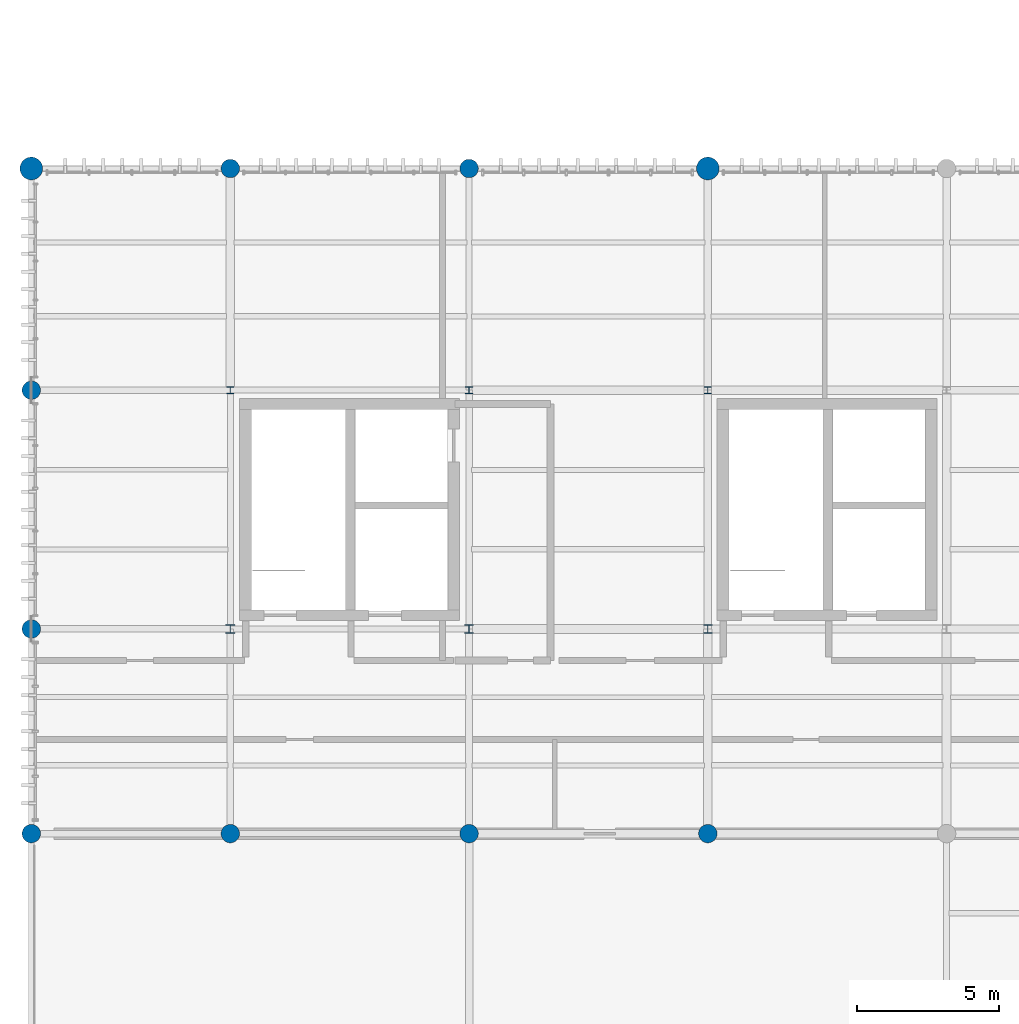
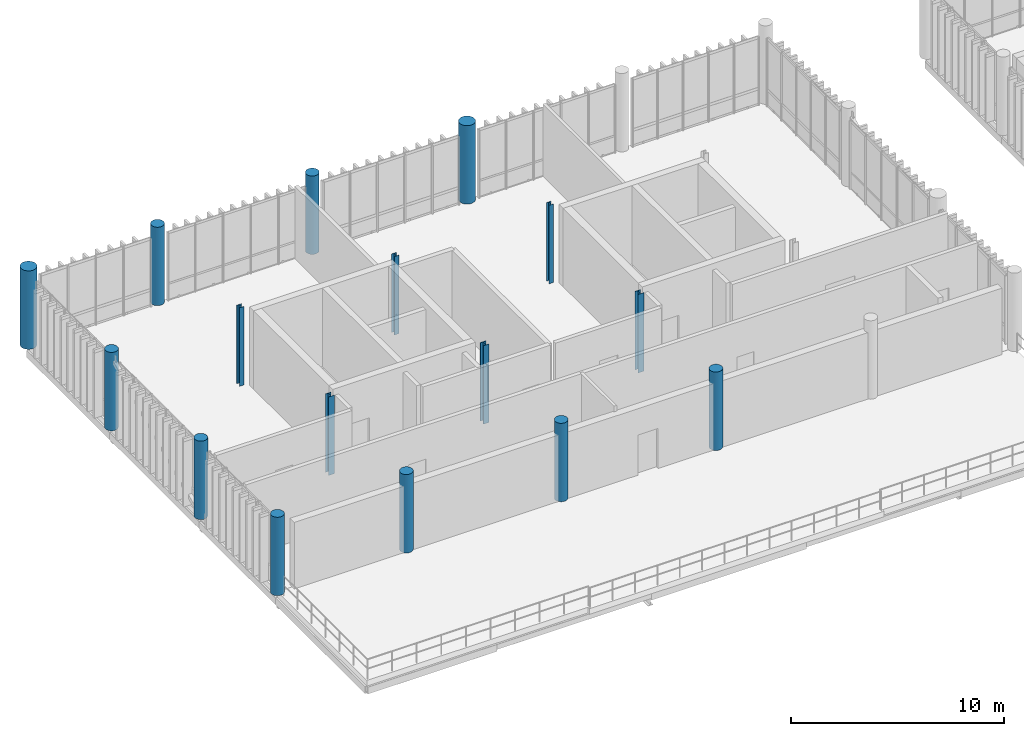
# One storey, part 1 of 66: 16 columns.
"""IFC4 building model written with IfcOpenShell, lengths in metres."""

import ifcopenshell
import ifcopenshell.guid

model = None  # the IFC model being written
_history = None  # IfcOwnerHistory: only IFC2X3 demands one
_inside = {}  # id of a spatial element -> (the spatial element, [elements in it])
_under = {}  # id of a project, library or spatial element -> (it, [spatial elements below it])
_declared = {}  # id of a project -> (the project, [libraries it declares])
_typed = {}  # id of a type object -> (the type object, [elements of that type])
_made_of = {}  # id of a material, layer set ... -> (it, [elements and type objects made of it])


def new_model(schema):
    """Start an empty IFC model of exactly this schema.

    Asked for "IFC4X3", IfcOpenShell would pick the latest addendum, in which some entities
    have other attributes; the version numbers below select the first issue.
    IFC2X3 requires an IfcOwnerHistory on every rooted entity: one is made here for all.
    """
    global model, _history
    if schema == "IFC4X3":
        model = ifcopenshell.file(schema_version=(4, 3, 0, 0))
    else:
        model = ifcopenshell.file(schema=schema)
    _inside.clear()
    _under.clear()
    _declared.clear()
    _typed.clear()
    _made_of.clear()
    _history = None
    if model.schema == "IFC2X3":
        org = make("IfcOrganization", Name="unknown")
        user = make(
            "IfcPersonAndOrganization",
            ThePerson=make("IfcPerson", FamilyName="unknown"),
            TheOrganization=org,
        )
        app = make(
            "IfcApplication",
            ApplicationDeveloper=org,
            Version="unknown",
            ApplicationFullName="unknown",
            ApplicationIdentifier="unknown",
        )
        _history = make(
            "IfcOwnerHistory",
            OwningUser=user,
            OwningApplication=app,
            ChangeAction="ADDED",
            CreationDate=0,
        )
    return model


def make(cls, **values):
    """One entity of the class cls with the attributes given. An attribute that is None is left unset."""
    return model.create_entity(
        cls, **{name: value for name, value in values.items() if value is not None}
    )


def rooted(cls, **values):
    """An entity with a GlobalId (a new one), such as an element, a storey or a relation."""
    return make(cls, GlobalId=ifcopenshell.guid.new(), OwnerHistory=_history, **values)


def si_unit(unit_type, name, prefix=None):
    """IfcSIUnit, for example si_unit("LENGTHUNIT", "METRE", prefix="MILLI")."""
    return make("IfcSIUnit", UnitType=unit_type, Prefix=prefix, Name=name)


def assignment(units):
    """IfcUnitAssignment: the units of a project."""
    return None if units is None else make("IfcUnitAssignment", Units=units)


def point(xyz):
    """IfcCartesianPoint."""
    return None if xyz is None else make("IfcCartesianPoint", Coordinates=xyz)


def direction(xyz):
    """IfcDirection."""
    return None if xyz is None else make("IfcDirection", DirectionRatios=xyz)


def frame(location, z_axis=None, x_axis=None):
    """IfcAxis2Placement3D, a coordinate frame: its origin and axes. An axis left out is left unset."""
    return make(
        "IfcAxis2Placement3D",
        Location=point(location),
        Axis=direction(z_axis),
        RefDirection=direction(x_axis),
    )


def frame_2d(location, x_axis=None):
    """IfcAxis2Placement2D, a coordinate frame in the plane: its origin and x axis."""
    return make(
        "IfcAxis2Placement2D", Location=point(location), RefDirection=direction(x_axis)
    )


def origin_with_axes():
    """The frame at (0, 0, 0) with the z axis (0, 0, 1) and the x axis (1, 0, 0) written out."""
    return frame((0.0, 0.0, 0.0), z_axis=(0.0, 0.0, 1.0), x_axis=(1.0, 0.0, 0.0))


def origin_2d_with_axis():
    """The frame at (0, 0) in the plane with the x axis (1, 0) written out."""
    return frame_2d((0.0, 0.0), x_axis=(1.0, 0.0))


def place(relative_to, where):
    """IfcLocalPlacement: puts the frame where relative to a parent placement (None: the world)."""
    return make(
        "IfcLocalPlacement", PlacementRelTo=relative_to, RelativePlacement=where
    )


def context(
    kind, dimensions, precision=None, world=None, true_north=None, identifier=None
):
    """IfcGeometricRepresentationContext, for example the 3D "Model" context."""
    return make(
        "IfcGeometricRepresentationContext",
        ContextIdentifier=identifier,
        ContextType=kind,
        CoordinateSpaceDimension=dimensions,
        Precision=precision,
        WorldCoordinateSystem=world,
        TrueNorth=true_north,
    )


def subcontext(parent, identifier, kind, view, scale=None):
    """IfcGeometricRepresentationSubContext, for example "Body" below "Model"."""
    return make(
        "IfcGeometricRepresentationSubContext",
        ContextIdentifier=identifier,
        ContextType=kind,
        ParentContext=parent,
        TargetScale=scale,
        TargetView=view,
    )


def project(units=None, contexts=None):
    """IfcProject with its units and contexts."""
    return rooted(
        "IfcProject",
        Name="project",
        RepresentationContexts=contexts,
        UnitsInContext=assignment(units),
    )


def spatial(cls, under=None, at=None, **own):
    """A site, building, storey or space (cls), placed at a placement, below another one or the project."""
    s = rooted(cls, ObjectPlacement=at, **own)
    if under is not None:
        _under.setdefault(under.id(), (under, []))[1].append(s)
    return s


def profile(cls, at=None, kind="AREA", **sizes):
    """A parametric profile (cls). Its sizes go by their IFC names, for example OverallWidth=200.0."""
    return make(cls, ProfileType=kind, Position=at, **sizes)


def circle(**sizes):
    """IfcCircleProfileDef."""
    return profile("IfcCircleProfileDef", **sizes)


def i_section(**sizes):
    """IfcIShapeProfileDef."""
    return profile("IfcIShapeProfileDef", **sizes)


def extrude(swept, where, along, depth):
    """IfcExtrudedAreaSolid: the profile swept, set in the frame where, extruded along a direction by depth."""
    return make(
        "IfcExtrudedAreaSolid",
        SweptArea=swept,
        Position=where,
        ExtrudedDirection=direction(along),
        Depth=depth,
    )


def shape(context_of_items, identifier, shape_type, items):
    """IfcShapeRepresentation: the items that make up one representation, for example the "Body"."""
    return make(
        "IfcShapeRepresentation",
        ContextOfItems=context_of_items,
        RepresentationIdentifier=identifier,
        RepresentationType=shape_type,
        Items=items,
    )


def material(Name=None, Category=None):
    """IfcMaterial."""
    return make("IfcMaterial", Name=Name, Category=Category)


def material_profile(
    of_material, cross_section, Name=None, Category=None, Priority=None
):
    """IfcMaterialProfile: a cross section and its material."""
    return make(
        "IfcMaterialProfile",
        Name=Name,
        Material=of_material,
        Profile=cross_section,
        Priority=Priority,
        Category=Category,
    )


def profile_set(profiles, Name=None, composite=None):
    """IfcMaterialProfileSet."""
    return make(
        "IfcMaterialProfileSet",
        Name=Name,
        MaterialProfiles=profiles,
        CompositeProfile=composite,
    )


def made_of(thing, what):
    """Note that an element or type object is made of a material, layer set ...; save() writes the relation."""
    if what is not None:
        _made_of.setdefault(what.id(), (what, []))[1].append(thing)
    return thing


def type_object(cls, material=None, **own):
    """A type object (cls), such as IfcWallType, which elements share."""
    return made_of(rooted(cls, **own), material)


def element(
    cls,
    number,
    at=None,
    inside=None,
    cuts=None,
    type_object=None,
    material=None,
    context=None,
    identifier="Body",
    shape_type=None,
    held_by="IfcProductDefinitionShape",
    body=None,
    shapes=None,
    **own,
):
    """One element of the class cls, such as IfcWall. Its Tag is "e" and its number.

    at: its placement. inside: the storey or other place that contains it. cuts: it is an
    opening in that element (IfcRelVoidsElement). A single representation is given by context,
    identifier, shape_type and body (its items); several are given by shapes. held_by: the class
    of the entity that holds the representations. save() writes the other relations.
    """
    e = rooted(cls, Tag="e%d" % number, ObjectPlacement=at, **own)
    if body is not None:
        shapes = [shape(context, identifier, shape_type, body)]
    if shapes is not None:
        e.Representation = make(held_by, Representations=shapes)
    if inside is not None:
        _inside.setdefault(inside.id(), (inside, []))[1].append(e)
    if cuts is not None:
        rooted(
            "IfcRelVoidsElement", RelatingBuildingElement=cuts, RelatedOpeningElement=e
        )
    if type_object is not None:
        _typed.setdefault(type_object.id(), (type_object, []))[1].append(e)
    return made_of(e, material)


def aggregate(whole, parts):
    """IfcRelAggregates: a whole, such as a stair, and the parts it consists of."""
    return rooted("IfcRelAggregates", RelatingObject=whole, RelatedObjects=parts)


def save(model, path):
    """Write the relations noted so far, then the file.

    IfcRelAggregates (storeys below a building ...), IfcRelContainedInSpatialStructure (elements
    in a storey), IfcRelDefinesByType, IfcRelAssociatesMaterial and IfcRelDeclares: one each for
    every whole, place, type object, material and project.
    """
    for whole, parts in _under.values():
        aggregate(whole, parts)
    for where, things in _inside.values():
        rooted(
            "IfcRelContainedInSpatialStructure",
            RelatedElements=things,
            RelatingStructure=where,
        )
    for kind, things in _typed.values():
        rooted("IfcRelDefinesByType", RelatedObjects=things, RelatingType=kind)
    for what, things in _made_of.values():
        rooted("IfcRelAssociatesMaterial", RelatedObjects=things, RelatingMaterial=what)
    for by, libraries in _declared.values():
        rooted("IfcRelDeclares", RelatingContext=by, RelatedDefinitions=libraries)
    model.write(path)


model = new_model("IFC4")

# Units and contexts
model_context = context("Model", 3, precision=1e-05, world=origin_with_axes(), true_north=direction((0.0, 1.0)))
body_context = subcontext(model_context, "Body", "Model", "MODEL_VIEW")
ifc_project = project(units=[si_unit("LENGTHUNIT", "METRE"), si_unit("AREAUNIT", "SQUARE_METRE"), si_unit("VOLUMEUNIT", "CUBIC_METRE"), si_unit("PLANEANGLEUNIT", "RADIAN"), si_unit("MASSUNIT", "GRAM", prefix="KILO"), si_unit("THERMODYNAMICTEMPERATUREUNIT", "KELVIN")], contexts=[model_context])

# Site, building, storey
site_placement = place(None, origin_with_axes())
site = spatial("IfcSite", under=ifc_project, at=site_placement, CompositionType="ELEMENT")
building_placement = place(site_placement, origin_with_axes())
building = spatial("IfcBuilding", under=site, at=building_placement, Name="Montbau Bow Law Courts", CompositionType="ELEMENT")
storey_placement = place(building_placement, frame((0.0, 0.0, 34.5), z_axis=(0.0, 0.0, 1.0), x_axis=(1.0, 0.0, 0.0)))
storey = spatial("IfcBuildingStorey", under=building, at=storey_placement, Name="L07", CompositionType="ELEMENT", Elevation=34.5)

# Columns
ifc_material_1 = material(Name="Concrete CSA A23.1 f'c 40 MPa", Category="concrete")
ifc_material_profile_1 = material_profile(ifc_material_1, circle(Radius=0.4, at=origin_2d_with_axis()), Name="RC800D", Category="Main", Priority=0)
ifc_profile_set_1 = profile_set([ifc_material_profile_1], Name="Concrete CSA A23.1 f'c 40 MPa")
column_type_1 = type_object("IfcColumnType", Name="C-RC-07", PredefinedType="COLUMN", material=ifc_profile_set_1)
for number, where, z_axis, x_axis, name in (
    (1, (6.8, 62.4, 34.5), (0.0, 0.0, 1.0), (1.0, 0.0, 0.0), "C-L07-S1000:col2_1000"),
    (2, (30.6, 62.4, 34.5), (0.0, 0.0, 1.0), (1.0, 0.0, 0.0), "C-L07-S1012:col2_1012"),
):
    element("IfcColumn", number, at=place(None, frame(where, z_axis=z_axis, x_axis=x_axis)), inside=storey, type_object=column_type_1, Name=name, PredefinedType="COLUMN", context=body_context, shape_type="SweptSolid", body=[
        extrude(circle(Radius=0.4, at=origin_2d_with_axis()), origin_with_axes(), (0.0, 0.0, 1.0), 4.5),
    ])
ifc_material_profile_2 = material_profile(ifc_material_1, circle(Radius=0.325, at=origin_2d_with_axis()), Name="RC650D", Category="Main", Priority=0)
ifc_profile_set_2 = profile_set([ifc_material_profile_2], Name="Concrete CSA A23.1 f'c 40 MPa")
column_type_2 = type_object("IfcColumnType", Name="C-RC-08", PredefinedType="COLUMN", material=ifc_profile_set_2)
for number, where, z_axis, x_axis, name in (
    (3, (6.8, 39.0, 34.5), (0.0, 0.0, 1.0), (1.0, 0.0, 0.0), "C-L07-S0997:col2_0997"),
    (4, (6.8, 46.2, 34.5), (0.0, 0.0, 1.0), (1.0, 0.0, 0.0), "C-L07-S0998:col2_0998"),
    (5, (6.8, 54.6, 34.5), (0.0, 0.0, 1.0), (1.0, 0.0, 0.0), "C-L07-S0999:col2_0999"),
    (6, (13.8, 39.0, 34.5), (0.0, 0.0, 1.0), (1.0, 0.0, 0.0), "C-L07-S1001:col2_1001"),
    (7, (13.8, 62.4, 34.5), (0.0, 0.0, 1.0), (1.0, 0.0, 0.0), "C-L07-S1004:col2_1004"),
    (8, (22.2, 39.0, 34.5), (0.0, 0.0, 1.0), (1.0, 0.0, 0.0), "C-L07-S1005:col2_1005"),
    (9, (22.2, 62.4, 34.5), (0.0, 0.0, 1.0), (1.0, 0.0, 0.0), "C-L07-S1008:col2_1008"),
    (10, (30.6, 39.0, 34.5), (0.0, 0.0, 1.0), (1.0, 0.0, 0.0), "C-L07-S1009:col2_1009"),
):
    element("IfcColumn", number, at=place(None, frame(where, z_axis=z_axis, x_axis=x_axis)), inside=storey, type_object=column_type_2, Name=name, PredefinedType="COLUMN", context=body_context, shape_type="SweptSolid", body=[
        extrude(circle(Radius=0.325, at=origin_2d_with_axis()), origin_with_axes(), (0.0, 0.0, 1.0), 4.5),
    ])
ifc_material_2 = material(Name="Steel CSA G40.21 Grade 350W (350 MPa)", Category="steel")
ifc_material_profile_3 = material_profile(ifc_material_2, i_section(OverallWidth=0.305, OverallDepth=0.308, WebThickness=0.0099, FlangeThickness=0.0154, at=origin_2d_with_axis()), Name="W310X97", Category="Main", Priority=0)
ifc_profile_set_3 = profile_set([ifc_material_profile_3], Name="Steel CSA G40.21 Grade 350W (350 MPa)")
column_type_3 = type_object("IfcColumnType", Name="C-STL-07", PredefinedType="COLUMN", material=ifc_profile_set_3)
for number, where, z_axis, x_axis, name in (
    (11, (13.8, 46.2, 34.5), (0.0, 0.0, 1.0), (1.0, 0.0, 0.0), "C-L07-S1002:col2_1002"),
    (12, (22.2, 46.2, 34.5), (0.0, 0.0, 1.0), (1.0, 0.0, 0.0), "C-L07-S1006:col2_1006"),
    (13, (30.6, 46.2, 34.5), (0.0, 0.0, 1.0), (1.0, 0.0, 0.0), "C-L07-S1010:col2_1010"),
):
    element("IfcColumn", number, at=place(None, frame(where, z_axis=z_axis, x_axis=x_axis)), inside=storey, type_object=column_type_3, Name=name, PredefinedType="COLUMN", context=body_context, shape_type="SweptSolid", body=[
        extrude(i_section(OverallWidth=0.305, OverallDepth=0.308, WebThickness=0.0099, FlangeThickness=0.0154, at=origin_2d_with_axis()), origin_with_axes(), (0.0, 0.0, 1.0), 4.5),
    ])
ifc_material_profile_4 = material_profile(ifc_material_2, i_section(OverallWidth=0.256, OverallDepth=0.26, WebThickness=0.0107, FlangeThickness=0.0173, at=origin_2d_with_axis()), Name="W250X89", Category="Main", Priority=0)
ifc_profile_set_4 = profile_set([ifc_material_profile_4], Name="Steel CSA G40.21 Grade 350W (350 MPa)")
column_type_4 = type_object("IfcColumnType", Name="C-STL-08", PredefinedType="COLUMN", material=ifc_profile_set_4)
for number, where, z_axis, x_axis, name in (
    (14, (13.8, 54.6, 34.5), (0.0, 0.0, 1.0), (1.0, 0.0, 0.0), "C-L07-S1003:col2_1003"),
    (15, (22.2, 54.6, 34.5), (0.0, 0.0, 1.0), (1.0, 0.0, 0.0), "C-L07-S1007:col2_1007"),
    (16, (30.6, 54.6, 34.5), (0.0, 0.0, 1.0), (1.0, 0.0, 0.0), "C-L07-S1011:col2_1011"),
):
    element("IfcColumn", number, at=place(None, frame(where, z_axis=z_axis, x_axis=x_axis)), inside=storey, type_object=column_type_4, Name=name, PredefinedType="COLUMN", context=body_context, shape_type="SweptSolid", body=[
        extrude(i_section(OverallWidth=0.256, OverallDepth=0.26, WebThickness=0.0107, FlangeThickness=0.0173, at=origin_2d_with_axis()), origin_with_axes(), (0.0, 0.0, 1.0), 4.5),
    ])

save(model, "model.ifc")
